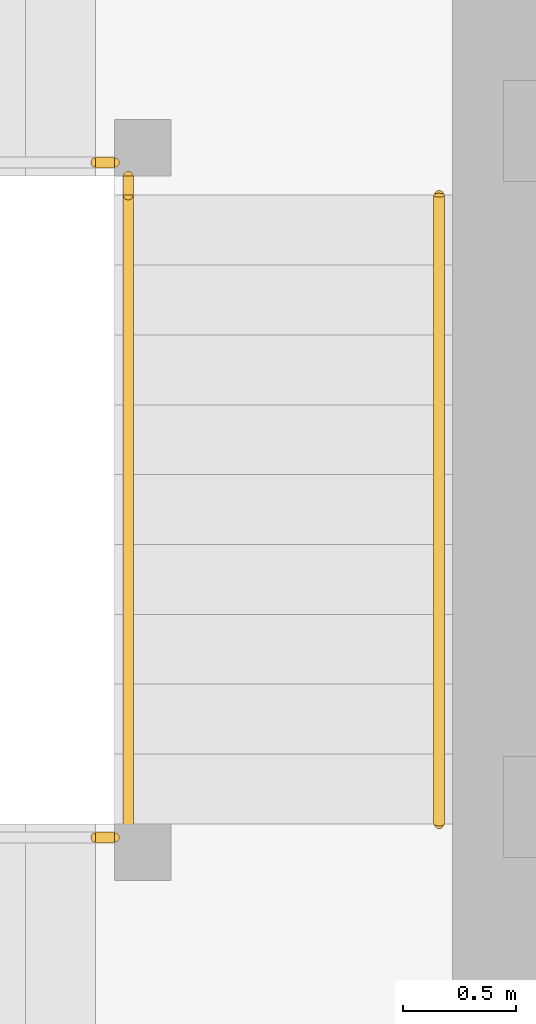
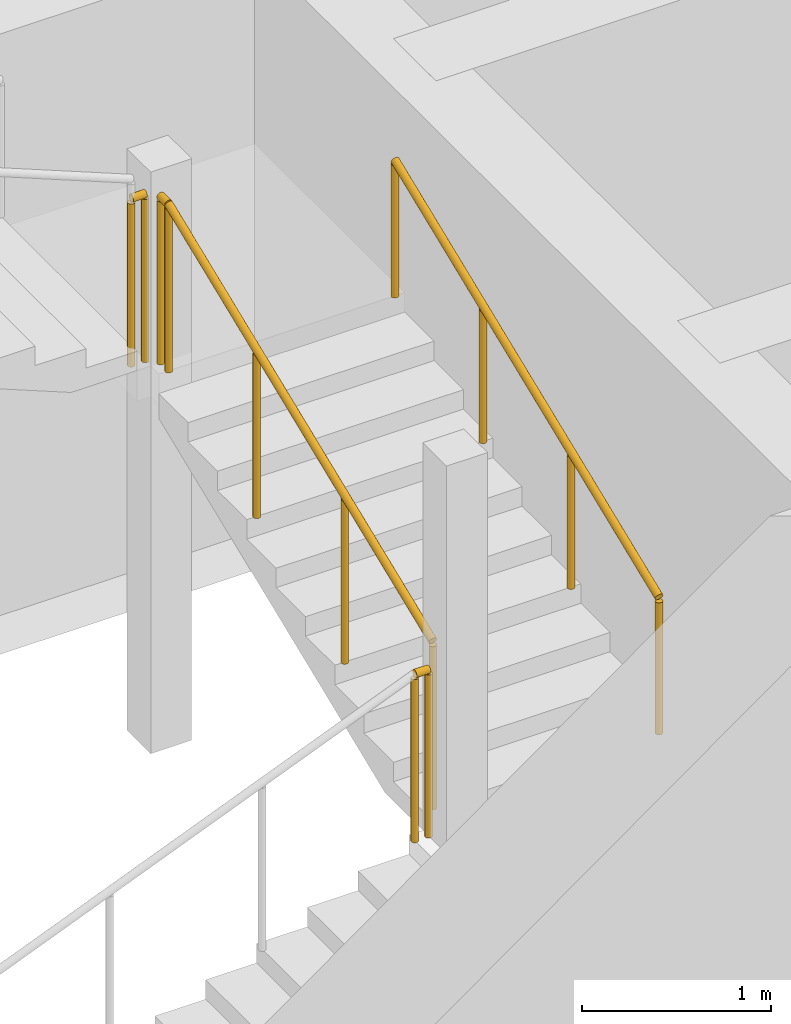
# One storey, part 35 of 39: 5 railings.
"""IFC4 building model written with IfcOpenShell, lengths in metres."""

import ifcopenshell
import ifcopenshell.guid

model = None  # the IFC model being written
_history = None  # IfcOwnerHistory: only IFC2X3 demands one
_inside = {}  # id of a spatial element -> (the spatial element, [elements in it])
_under = {}  # id of a project, library or spatial element -> (it, [spatial elements below it])
_declared = {}  # id of a project -> (the project, [libraries it declares])
_typed = {}  # id of a type object -> (the type object, [elements of that type])
_made_of = {}  # id of a material, layer set ... -> (it, [elements and type objects made of it])


def new_model(schema):
    """Start an empty IFC model of exactly this schema.

    Asked for "IFC4X3", IfcOpenShell would pick the latest addendum, in which some entities
    have other attributes; the version numbers below select the first issue.
    IFC2X3 requires an IfcOwnerHistory on every rooted entity: one is made here for all.
    """
    global model, _history
    if schema == "IFC4X3":
        model = ifcopenshell.file(schema_version=(4, 3, 0, 0))
    else:
        model = ifcopenshell.file(schema=schema)
    _inside.clear()
    _under.clear()
    _declared.clear()
    _typed.clear()
    _made_of.clear()
    _history = None
    if model.schema == "IFC2X3":
        org = make("IfcOrganization", Name="unknown")
        user = make(
            "IfcPersonAndOrganization",
            ThePerson=make("IfcPerson", FamilyName="unknown"),
            TheOrganization=org,
        )
        app = make(
            "IfcApplication",
            ApplicationDeveloper=org,
            Version="unknown",
            ApplicationFullName="unknown",
            ApplicationIdentifier="unknown",
        )
        _history = make(
            "IfcOwnerHistory",
            OwningUser=user,
            OwningApplication=app,
            ChangeAction="ADDED",
            CreationDate=0,
        )
    return model


def make(cls, **values):
    """One entity of the class cls with the attributes given. An attribute that is None is left unset."""
    return model.create_entity(
        cls, **{name: value for name, value in values.items() if value is not None}
    )


def rooted(cls, **values):
    """An entity with a GlobalId (a new one), such as an element, a storey or a relation."""
    return make(cls, GlobalId=ifcopenshell.guid.new(), OwnerHistory=_history, **values)


def si_unit(unit_type, name, prefix=None):
    """IfcSIUnit, for example si_unit("LENGTHUNIT", "METRE", prefix="MILLI")."""
    return make("IfcSIUnit", UnitType=unit_type, Prefix=prefix, Name=name)


def assignment(units):
    """IfcUnitAssignment: the units of a project."""
    return None if units is None else make("IfcUnitAssignment", Units=units)


def point(xyz):
    """IfcCartesianPoint."""
    return None if xyz is None else make("IfcCartesianPoint", Coordinates=xyz)


def direction(xyz):
    """IfcDirection."""
    return None if xyz is None else make("IfcDirection", DirectionRatios=xyz)


def frame(location, z_axis=None, x_axis=None):
    """IfcAxis2Placement3D, a coordinate frame: its origin and axes. An axis left out is left unset."""
    return make(
        "IfcAxis2Placement3D",
        Location=point(location),
        Axis=direction(z_axis),
        RefDirection=direction(x_axis),
    )


def frame_2d(location, x_axis=None):
    """IfcAxis2Placement2D, a coordinate frame in the plane: its origin and x axis."""
    return make(
        "IfcAxis2Placement2D", Location=point(location), RefDirection=direction(x_axis)
    )


def origin():
    """The frame at (0, 0, 0) with its axes left unset."""
    return frame((0.0, 0.0, 0.0))


def origin_2d():
    """The frame at (0, 0) in the plane with its x axis left unset."""
    return frame_2d((0.0, 0.0))


def place(relative_to, where):
    """IfcLocalPlacement: puts the frame where relative to a parent placement (None: the world)."""
    return make(
        "IfcLocalPlacement", PlacementRelTo=relative_to, RelativePlacement=where
    )


def context(
    kind, dimensions, precision=None, world=None, true_north=None, identifier=None
):
    """IfcGeometricRepresentationContext, for example the 3D "Model" context."""
    return make(
        "IfcGeometricRepresentationContext",
        ContextIdentifier=identifier,
        ContextType=kind,
        CoordinateSpaceDimension=dimensions,
        Precision=precision,
        WorldCoordinateSystem=world,
        TrueNorth=true_north,
    )


def subcontext(parent, identifier, kind, view, scale=None):
    """IfcGeometricRepresentationSubContext, for example "Body" below "Model"."""
    return make(
        "IfcGeometricRepresentationSubContext",
        ContextIdentifier=identifier,
        ContextType=kind,
        ParentContext=parent,
        TargetScale=scale,
        TargetView=view,
    )


def project(units=None, contexts=None):
    """IfcProject with its units and contexts."""
    return rooted(
        "IfcProject",
        Name="project",
        RepresentationContexts=contexts,
        UnitsInContext=assignment(units),
    )


def spatial(cls, under=None, at=None, **own):
    """A site, building, storey or space (cls), placed at a placement, below another one or the project."""
    s = rooted(cls, ObjectPlacement=at, **own)
    if under is not None:
        _under.setdefault(under.id(), (under, []))[1].append(s)
    return s


def profile(cls, at=None, kind="AREA", **sizes):
    """A parametric profile (cls). Its sizes go by their IFC names, for example OverallWidth=200.0."""
    return make(cls, ProfileType=kind, Position=at, **sizes)


def circle(**sizes):
    """IfcCircleProfileDef."""
    return profile("IfcCircleProfileDef", **sizes)


def extrude(swept, where, along, depth):
    """IfcExtrudedAreaSolid: the profile swept, set in the frame where, extruded along a direction by depth."""
    return make(
        "IfcExtrudedAreaSolid",
        SweptArea=swept,
        Position=where,
        ExtrudedDirection=direction(along),
        Depth=depth,
    )


def shape(context_of_items, identifier, shape_type, items):
    """IfcShapeRepresentation: the items that make up one representation, for example the "Body"."""
    return make(
        "IfcShapeRepresentation",
        ContextOfItems=context_of_items,
        RepresentationIdentifier=identifier,
        RepresentationType=shape_type,
        Items=items,
    )


def material(Name=None, Category=None):
    """IfcMaterial."""
    return make("IfcMaterial", Name=Name, Category=Category)


def made_of(thing, what):
    """Note that an element or type object is made of a material, layer set ...; save() writes the relation."""
    if what is not None:
        _made_of.setdefault(what.id(), (what, []))[1].append(thing)
    return thing


def type_object(cls, material=None, **own):
    """A type object (cls), such as IfcWallType, which elements share."""
    return made_of(rooted(cls, **own), material)


def element(
    cls,
    number,
    at=None,
    inside=None,
    cuts=None,
    type_object=None,
    material=None,
    context=None,
    identifier="Body",
    shape_type=None,
    held_by="IfcProductDefinitionShape",
    body=None,
    shapes=None,
    **own,
):
    """One element of the class cls, such as IfcWall. Its Tag is "e" and its number.

    at: its placement. inside: the storey or other place that contains it. cuts: it is an
    opening in that element (IfcRelVoidsElement). A single representation is given by context,
    identifier, shape_type and body (its items); several are given by shapes. held_by: the class
    of the entity that holds the representations. save() writes the other relations.
    """
    e = rooted(cls, Tag="e%d" % number, ObjectPlacement=at, **own)
    if body is not None:
        shapes = [shape(context, identifier, shape_type, body)]
    if shapes is not None:
        e.Representation = make(held_by, Representations=shapes)
    if inside is not None:
        _inside.setdefault(inside.id(), (inside, []))[1].append(e)
    if cuts is not None:
        rooted(
            "IfcRelVoidsElement", RelatingBuildingElement=cuts, RelatedOpeningElement=e
        )
    if type_object is not None:
        _typed.setdefault(type_object.id(), (type_object, []))[1].append(e)
    return made_of(e, material)


def aggregate(whole, parts):
    """IfcRelAggregates: a whole, such as a stair, and the parts it consists of."""
    return rooted("IfcRelAggregates", RelatingObject=whole, RelatedObjects=parts)


def save(model, path):
    """Write the relations noted so far, then the file.

    IfcRelAggregates (storeys below a building ...), IfcRelContainedInSpatialStructure (elements
    in a storey), IfcRelDefinesByType, IfcRelAssociatesMaterial and IfcRelDeclares: one each for
    every whole, place, type object, material and project.
    """
    for whole, parts in _under.values():
        aggregate(whole, parts)
    for where, things in _inside.values():
        rooted(
            "IfcRelContainedInSpatialStructure",
            RelatedElements=things,
            RelatingStructure=where,
        )
    for kind, things in _typed.values():
        rooted("IfcRelDefinesByType", RelatedObjects=things, RelatingType=kind)
    for what, things in _made_of.values():
        rooted("IfcRelAssociatesMaterial", RelatedObjects=things, RelatingMaterial=what)
    for by, libraries in _declared.values():
        rooted("IfcRelDeclares", RelatingContext=by, RelatedDefinitions=libraries)
    model.write(path)


model = new_model("IFC4")

# Units and contexts
model_context = context("Model", 3, precision=1e-05, world=origin(), true_north=direction((0.0, 1.0)))
body_context = subcontext(model_context, "Body", "Model", "MODEL_VIEW")
ifc_project = project(units=[si_unit("LENGTHUNIT", "METRE"), si_unit("AREAUNIT", "SQUARE_METRE"), si_unit("VOLUMEUNIT", "CUBIC_METRE"), si_unit("PLANEANGLEUNIT", "RADIAN"), si_unit("MASSUNIT", "GRAM", prefix="KILO")], contexts=[model_context])

# Site, building, storey
site_placement = place(None, origin())
site = spatial("IfcSite", under=ifc_project, at=site_placement, CompositionType="ELEMENT")
building_placement = place(site_placement, origin())
building = spatial("IfcBuilding", under=site, at=building_placement, Name="Rekha Terrace Tower", CompositionType="ELEMENT")
storey_placement = place(building_placement, frame((0.0, 0.0, 183.949951171875)))
storey = spatial("IfcBuildingStorey", under=building, at=storey_placement, Name="L46", CompositionType="ELEMENT", Elevation=183.949951171875)

# Railings
ifc_material_1 = material(Name="Stainless steel balustrade", Category="steel")
railing_type_1 = type_object("IfcRailingType", Name="GR1 1100 stair guard", PredefinedType="GUARDRAIL", material=ifc_material_1)
railing_1_placement = place(storey_placement, frame((30.135009765625, 41.324951171875, 1.375)))
element("IfcRailing", 1, at=railing_1_placement, inside=storey, type_object=railing_type_1, Name="Guard ST4 L46 flight 2", PredefinedType="GUARDRAIL", context=body_context, shape_type="SweptSolid", body=[
    extrude(circle(Radius=0.02392578125, at=origin_2d()), frame((0.0, 0.0, 1.076171875), z_axis=(0.0, 0.927443287984, 0.373963831907), x_axis=(-1.0, 0.0, 0.0)), (0.0, 0.0, 1.0), 3.00830078125),
    extrude(circle(Radius=0.02099609375, at=origin_2d()), origin(), (0.0, 0.0, 1.0), 1.052001953125),
    extrude(circle(Radius=0.02099609375, at=origin_2d()), frame((0.0, 0.929931640625, 0.375)), (0.0, 0.0, 1.0), 1.052001953125),
    extrude(circle(Radius=0.02099609375, at=origin_2d()), frame((0.0, 1.860107421875, 0.75)), (0.0, 0.0, 1.0), 1.052001953125),
    extrude(circle(Radius=0.02099609375, at=origin_2d()), frame((0.0, 2.7900390625, 1.125)), (0.0, 0.0, 1.0), 1.052001953125),
])
railing_2_placement = place(storey_placement, frame((29.989990234375, 41.264892578125, 1.25)))
element("IfcRailing", 2, at=railing_2_placement, inside=storey, type_object=railing_type_1, Name="Guard ST4 L46 landing 1", PredefinedType="GUARDRAIL", context=body_context, shape_type="SweptSolid", body=[
    extrude(circle(Radius=0.02392578125, at=origin_2d()), frame((0.0, 0.0, 1.076171875), z_axis=(1.0, 0.0, 0.0), x_axis=(0.0, 1.0, 0.0)), (0.0, 0.0, 1.0), 0.0849609375),
    extrude(circle(Radius=0.02099609375, at=origin_2d()), origin(), (0.0, 0.0, 1.0), 1.052001953125),
    extrude(circle(Radius=0.02099609375, at=origin_2d()), frame((0.0849609375, 0.0, 0.0)), (0.0, 0.0, 1.0), 1.052001953125),
])
railing_3_placement = place(storey_placement, frame((30.135009765625, 44.114990234375, 2.5)))
element("IfcRailing", 3, at=railing_3_placement, inside=storey, type_object=railing_type_1, Name="Guard ST4 L46 landing 2", PredefinedType="GUARDRAIL", context=body_context, shape_type="SweptSolid", body=[
    extrude(circle(Radius=0.02392578125, at=origin_2d()), frame((0.0, 0.0, 1.076171875), z_axis=(0.0, 1.0, 0.0), x_axis=(-1.0, 0.0, 0.0)), (0.0, 0.0, 1.0), 0.0849609375),
    extrude(circle(Radius=0.02099609375, at=origin_2d()), origin(), (0.0, 0.0, 1.0), 1.052001953125),
    extrude(circle(Radius=0.02099609375, at=origin_2d()), frame((0.0, 0.0849609375, 0.0)), (0.0, 0.0, 1.0), 1.052001953125),
])
railing_4_placement = place(storey_placement, frame((29.989990234375, 44.260009765625, 2.5)))
element("IfcRailing", 4, at=railing_4_placement, inside=storey, type_object=railing_type_1, Name="Guard ST4 L46 landing 3", PredefinedType="GUARDRAIL", context=body_context, shape_type="SweptSolid", body=[
    extrude(circle(Radius=0.02392578125, at=origin_2d()), frame((0.0, 0.0, 1.076171875), z_axis=(1.0, 0.0, 0.0), x_axis=(0.0, 1.0, 0.0)), (0.0, 0.0, 1.0), 0.0849609375),
    extrude(circle(Radius=0.02099609375, at=origin_2d()), origin(), (0.0, 0.0, 1.0), 1.052001953125),
    extrude(circle(Radius=0.02099609375, at=origin_2d()), frame((0.0849609375, 0.0, 0.0)), (0.0, 0.0, 1.0), 1.052001953125),
])
ifc_material_2 = material(Name="Stainless steel tube", Category="steel")
railing_type_2 = type_object("IfcRailingType", Name="HR1 900 stair handrail", PredefinedType="HANDRAIL", material=ifc_material_2)
railing_5_placement = place(storey_placement, frame((31.514892578125, 41.324951171875, 1.375)))
element("IfcRailing", 5, at=railing_5_placement, inside=storey, type_object=railing_type_2, Name="Handrail ST4 L46 flight 2", PredefinedType="HANDRAIL", context=body_context, shape_type="SweptSolid", body=[
    extrude(circle(Radius=0.02392578125, at=origin_2d()), frame((0.0, 0.0, 0.8759765625), z_axis=(0.0, 0.927443287984, 0.373963831907), x_axis=(-1.0, 0.0, 0.0)), (0.0, 0.0, 1.0), 3.00830078125),
    extrude(circle(Radius=0.02099609375, at=origin_2d()), origin(), (0.0, 0.0, 1.0), 0.851806640625),
    extrude(circle(Radius=0.02099609375, at=origin_2d()), frame((0.0, 0.929931640625, 0.375)), (0.0, 0.0, 1.0), 0.851806640625),
    extrude(circle(Radius=0.02099609375, at=origin_2d()), frame((0.0, 1.860107421875, 0.75)), (0.0, 0.0, 1.0), 0.851806640625),
    extrude(circle(Radius=0.02099609375, at=origin_2d()), frame((0.0, 2.7900390625, 1.125)), (0.0, 0.0, 1.0), 0.851806640625),
])

save(model, "model.ifc")
